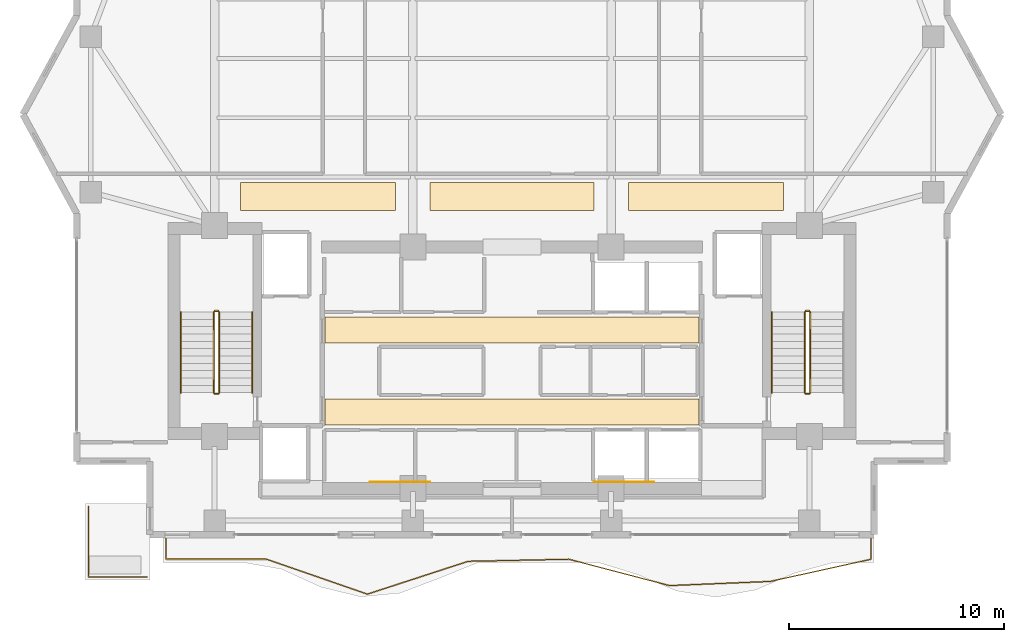
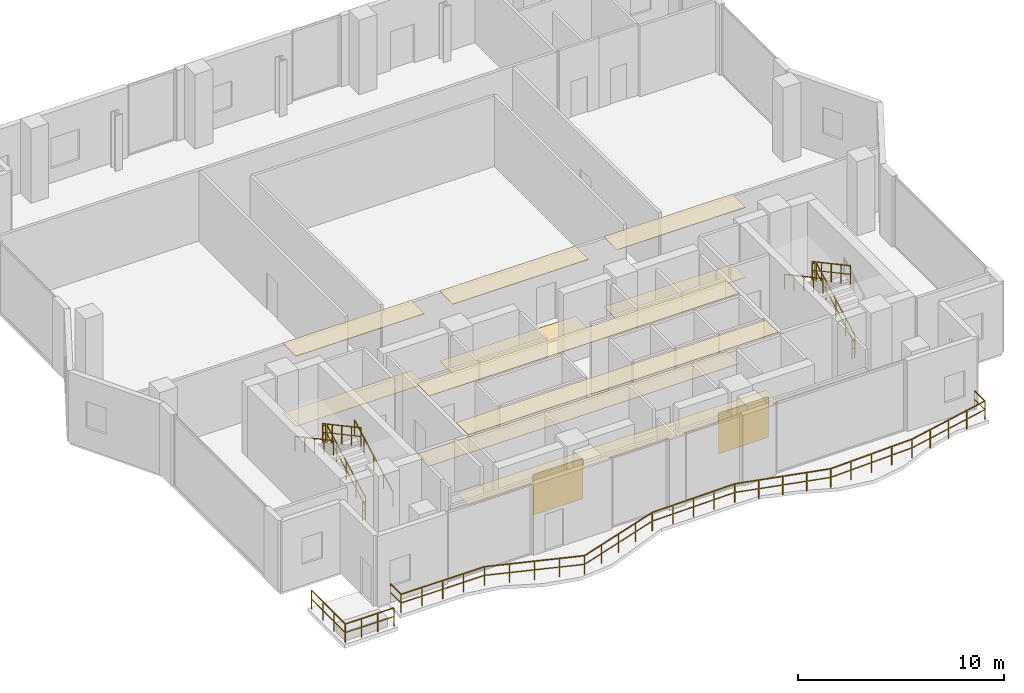
# One storey, part 22 of 24: 13 railings, 12 coverings.
"""IFC4 building model written with IfcOpenShell, lengths in metres."""

from ifc_helpers import new_model, si_unit, direction, frame, origin, origin_2d, place, context, subcontext, project, spatial, polyline, rectangle, outline, extrude, material, layer, layer_set, type_object, element, save


model = new_model("IFC4")

# Units and contexts
model_context = context("Model", 3, precision=1e-05, world=origin(), true_north=direction((0.0, 1.0)))
body_context = subcontext(model_context, "Body", "Model", "MODEL_VIEW")
ifc_project = project(units=[si_unit("LENGTHUNIT", "METRE"), si_unit("AREAUNIT", "SQUARE_METRE"), si_unit("VOLUMEUNIT", "CUBIC_METRE"), si_unit("PLANEANGLEUNIT", "RADIAN"), si_unit("MASSUNIT", "GRAM", prefix="KILO")], contexts=[model_context])

# Site, building, storey
site_placement = place(None, origin())
site = spatial("IfcSite", under=ifc_project, at=site_placement, CompositionType="ELEMENT")
building_placement = place(site_placement, origin())
building = spatial("IfcBuilding", under=site, at=building_placement, Name="Zuhayl Quay Hotel", CompositionType="ELEMENT")
storey_placement = place(building_placement, frame((0.0, 0.0, 284.050048828125)))
storey = spatial("IfcBuildingStorey", under=building, at=storey_placement, Name="L72", CompositionType="ELEMENT", Elevation=284.050048828125)

# Coverings
ifc_material_1 = material(Name="Acoustic Mineral-Fibre Gypsum Board")
ifc_layer_1 = layer(ifc_material_1, 0.02490234375, Name="Acoustic Mineral-Fibre Gypsum Board")
ifc_layer_set_1 = layer_set([ifc_layer_1], Name="Acoustic Mineral-Fibre Gypsum Board")
covering_type_1 = type_object("IfcCoveringType", Name="CV_CEIL_ACOUSTIC", PredefinedType="CEILING", material=ifc_layer_set_1)
covering_1_placement = place(storey_placement, frame((0.0, 0.0, 4.155029296875)))
element("IfcCovering", 1, at=covering_1_placement, inside=storey, type_object=covering_type_1, Name="L72 Suspended Acoustic Lobby Ceiling S", PredefinedType="CEILING", context=body_context, shape_type="SweptSolid", body=[
    extrude(outline(polyline([(-8.679931640625, 5.10009765625), (8.679931640625, 5.10009765625), (8.679931640625, 6.300048828125), (-8.679931640625, 6.300048828125), (-8.679931640625, 5.10009765625)])), origin(), (0.0, 0.0, 1.0), 0.02490234375),
])
covering_2_placement = place(storey_placement, frame((0.0, 0.0, 4.155029296875)))
element("IfcCovering", 2, at=covering_2_placement, inside=storey, type_object=covering_type_1, Name="L72 Suspended Acoustic Lobby Ceiling N", PredefinedType="CEILING", context=body_context, shape_type="SweptSolid", body=[
    extrude(outline(polyline([(-8.679931640625, 8.89990234375), (8.679931640625, 8.89990234375), (8.679931640625, 10.10009765625), (-8.679931640625, 10.10009765625), (-8.679931640625, 8.89990234375)])), origin(), (0.0, 0.0, 1.0), 0.02490234375),
])
covering_3_placement = place(storey_placement, frame((0.0, 0.0, 4.155029296875)))
element("IfcCovering", 3, at=covering_3_placement, inside=storey, type_object=covering_type_1, Name="L72 Guest Corridor Acoustic Ceiling CW", PredefinedType="CEILING", context=body_context, shape_type="SweptSolid", body=[
    extrude(outline(polyline([(-12.60009765625, 15.050048828125), (-5.39990234375, 15.050048828125), (-5.39990234375, 16.35009765625), (-12.60009765625, 16.35009765625), (-12.60009765625, 15.050048828125)])), origin(), (0.0, 0.0, 1.0), 0.02490234375),
])
covering_4_placement = place(storey_placement, frame((0.0, 0.0, 4.155029296875)))
element("IfcCovering", 4, at=covering_4_placement, inside=storey, type_object=covering_type_1, Name="L72 Guest Corridor Acoustic Ceiling CC", PredefinedType="CEILING", context=body_context, shape_type="SweptSolid", body=[
    extrude(outline(polyline([(-3.800048828125, 15.050048828125), (3.800048828125, 15.050048828125), (3.800048828125, 16.35009765625), (-3.800048828125, 16.35009765625), (-3.800048828125, 15.050048828125)])), origin(), (0.0, 0.0, 1.0), 0.02490234375),
])
covering_5_placement = place(storey_placement, frame((0.0, 0.0, 4.155029296875)))
element("IfcCovering", 5, at=covering_5_placement, inside=storey, type_object=covering_type_1, Name="L72 Guest Corridor Acoustic Ceiling CE", PredefinedType="CEILING", context=body_context, shape_type="SweptSolid", body=[
    extrude(outline(polyline([(5.39990234375, 15.050048828125), (12.60009765625, 15.050048828125), (12.60009765625, 16.35009765625), (5.39990234375, 16.35009765625), (5.39990234375, 15.050048828125)])), origin(), (0.0, 0.0, 1.0), 0.02490234375),
])
ifc_material_2 = material(Name="Polished Limestone Terrazzo", Category="masonry")
ifc_layer_2 = layer(ifc_material_2, 0.02001953125, Name="Polished Limestone Terrazzo", Category="masonry")
ifc_layer_set_2 = layer_set([ifc_layer_2], Name="Polished Limestone Terrazzo")
covering_type_2 = type_object("IfcCoveringType", Name="CV_FLOOR_TERRAZZO", PredefinedType="FLOORING", material=ifc_layer_set_2)
covering_6_placement = place(storey_placement, origin())
element("IfcCovering", 6, at=covering_6_placement, inside=storey, type_object=covering_type_2, Name="L72 Honed Limestone Terrazzo Lobby Flooring S", PredefinedType="FLOORING", context=body_context, shape_type="SweptSolid", body=[
    extrude(outline(polyline([(-8.679931640625, 5.10009765625), (8.679931640625, 5.10009765625), (8.679931640625, 6.300048828125), (-8.679931640625, 6.300048828125), (-8.679931640625, 5.10009765625)])), origin(), (0.0, 0.0, 1.0), 0.02001953125),
])
covering_7_placement = place(storey_placement, origin())
element("IfcCovering", 7, at=covering_7_placement, inside=storey, type_object=covering_type_2, Name="L72 Honed Limestone Terrazzo Lobby Flooring N", PredefinedType="FLOORING", context=body_context, shape_type="SweptSolid", body=[
    extrude(outline(polyline([(-8.679931640625, 8.89990234375), (8.679931640625, 8.89990234375), (8.679931640625, 10.10009765625), (-8.679931640625, 10.10009765625), (-8.679931640625, 8.89990234375)])), origin(), (0.0, 0.0, 1.0), 0.02001953125),
])
covering_8_placement = place(storey_placement, origin())
element("IfcCovering", 8, at=covering_8_placement, inside=storey, type_object=covering_type_2, Name="L72 Guest Corridor Terrazzo Runner CW", PredefinedType="FLOORING", context=body_context, shape_type="SweptSolid", body=[
    extrude(outline(polyline([(-12.60009765625, 15.050048828125), (-5.39990234375, 15.050048828125), (-5.39990234375, 16.35009765625), (-12.60009765625, 16.35009765625), (-12.60009765625, 15.050048828125)])), origin(), (0.0, 0.0, 1.0), 0.02001953125),
])
covering_9_placement = place(storey_placement, origin())
element("IfcCovering", 9, at=covering_9_placement, inside=storey, type_object=covering_type_2, Name="L72 Guest Corridor Terrazzo Runner CC", PredefinedType="FLOORING", context=body_context, shape_type="SweptSolid", body=[
    extrude(outline(polyline([(-3.800048828125, 15.050048828125), (3.800048828125, 15.050048828125), (3.800048828125, 16.35009765625), (-3.800048828125, 16.35009765625), (-3.800048828125, 15.050048828125)])), origin(), (0.0, 0.0, 1.0), 0.02001953125),
])
covering_10_placement = place(storey_placement, origin())
element("IfcCovering", 10, at=covering_10_placement, inside=storey, type_object=covering_type_2, Name="L72 Guest Corridor Terrazzo Runner CE", PredefinedType="FLOORING", context=body_context, shape_type="SweptSolid", body=[
    extrude(outline(polyline([(5.39990234375, 15.050048828125), (12.60009765625, 15.050048828125), (12.60009765625, 16.35009765625), (5.39990234375, 16.35009765625), (5.39990234375, 15.050048828125)])), origin(), (0.0, 0.0, 1.0), 0.02001953125),
])
ifc_material_3 = material(Name="Acoustic Walnut Feature Timber", Category="wood")
ifc_layer_3 = layer(ifc_material_3, 0.02197265625, Name="Acoustic Walnut Feature Timber", Category="wood")
ifc_layer_set_3 = layer_set([ifc_layer_3], Name="Acoustic Walnut Feature Timber")
covering_type_3 = type_object("IfcCoveringType", Name="CV_WALL_CLAD", PredefinedType="CLADDING", material=ifc_layer_set_3)
for number, where, z_axis, x_axis, name in (
    (11, (-5.199951171875, 2.43603515625, 0.300048828125), (0.0, 0.0, 1.0), (1.0, 0.0, 0.0), "L72 Feature Lobby Walnut Wall Cladding W"),
    (12, (5.199951171875, 2.43603515625, 0.300048828125), (0.0, 0.0, 1.0), (1.0, 0.0, 0.0), "L72 Feature Lobby Walnut Wall Cladding E"),
):
    element("IfcCovering", number, at=place(storey_placement, frame(where, z_axis=z_axis, x_axis=x_axis)), inside=storey, type_object=covering_type_3, Name=name, PredefinedType="CLADDING", context=body_context, shape_type="SweptSolid", body=[
        extrude(rectangle(XDim=2.800048828125, YDim=0.02197265625, at=origin_2d()), origin(), (0.0, 0.0, 1.0), 2.39990234375),
    ])

# Railings
ifc_material_4 = material(Name="Anodised Aluminium and Laminated Glass", Category="aluminium")
railing_type_1 = type_object("IfcRailingType", Name="RL_EXT_BAL_1100", PredefinedType="BALUSTRADE", material=ifc_material_4)
railing_1_placement = place(storey_placement, frame((-16.06005859375, -0.1201171875, 0.0)))
element("IfcRailing", 13, at=railing_1_placement, inside=storey, type_object=railing_type_1, Name="L72 Balcony and Terrace Guard GR_L72_BAL_S", PredefinedType="BALUSTRADE", context=body_context, shape_type="SweptSolid", body=[
    extrude(rectangle(XDim=0.048095703125, YDim=0.048095703125, at=origin_2d()), frame((0.0, 0.0, 1.09619140625), z_axis=(0.0, -1.0, 0.0), x_axis=(1.0, 0.0, 0.0)), (0.0, 0.0, 1.0), 1.019775390625),
    extrude(rectangle(XDim=0.0361328125, YDim=0.0361328125, at=origin_2d()), frame((0.0, 0.0, 0.58251953125), z_axis=(0.0, -1.0, 0.0), x_axis=(1.0, 0.0, 0.0)), (0.0, 0.0, 1.0), 1.019775390625),
    extrude(rectangle(XDim=0.048095703125, YDim=0.048095703125, at=origin_2d()), frame((0.0, -1.019775390625, 1.09619140625), z_axis=(1.0, 0.0, 0.0), x_axis=(0.0, 1.0, 0.0)), (0.0, 0.0, 1.0), 4.67431640625),
    extrude(rectangle(XDim=0.0361328125, YDim=0.0361328125, at=origin_2d()), frame((0.0, -1.019775390625, 0.58251953125), z_axis=(1.0, 0.0, 0.0), x_axis=(0.0, 1.0, 0.0)), (0.0, 0.0, 1.0), 4.67431640625),
    extrude(rectangle(XDim=0.048095703125, YDim=0.048095703125, at=origin_2d()), frame((4.67431640625, -1.019775390625, 1.09619140625), z_axis=(0.944932077575, -0.32726651031, 0.0), x_axis=(0.32726651031, 0.944932077575, 0.0)), (0.0, 0.0, 1.0), 4.94677734375),
    extrude(rectangle(XDim=0.0361328125, YDim=0.0361328125, at=origin_2d()), frame((4.67431640625, -1.019775390625, 0.58251953125), z_axis=(0.944932077575, -0.32726651031, 0.0), x_axis=(0.32726651031, 0.944932077575, 0.0)), (0.0, 0.0, 1.0), 4.94677734375),
    extrude(rectangle(XDim=0.048095703125, YDim=0.048095703125, at=origin_2d()), frame((9.3486328125, -2.638671875, 1.09619140625), z_axis=(0.950821441776, 0.309739545198, 0.0), x_axis=(-0.309739545198, 0.950821441776, 0.0)), (0.0, 0.0, 1.0), 4.916015625),
    extrude(rectangle(XDim=0.0361328125, YDim=0.0361328125, at=origin_2d()), frame((9.3486328125, -2.638671875, 0.58251953125), z_axis=(0.950821441776, 0.309739545198, 0.0), x_axis=(-0.309739545198, 0.950821441776, 0.0)), (0.0, 0.0, 1.0), 4.916015625),
    extrude(rectangle(XDim=0.048095703125, YDim=0.048095703125, at=origin_2d()), frame((14.02294921875, -1.115966796875, 1.09619140625), z_axis=(0.999788325556, 0.020574354971, 0.0), x_axis=(-0.020574354971, 0.999788325556, 0.0)), (0.0, 0.0, 1.0), 4.67529296875),
    extrude(rectangle(XDim=0.0361328125, YDim=0.0361328125, at=origin_2d()), frame((14.02294921875, -1.115966796875, 0.58251953125), z_axis=(0.999788325556, 0.020574354971, 0.0), x_axis=(-0.020574354971, 0.999788325556, 0.0)), (0.0, 0.0, 1.0), 4.67529296875),
    extrude(rectangle(XDim=0.048095703125, YDim=0.048095703125, at=origin_2d()), frame((18.697265625, -1.019775390625, 1.09619140625), z_axis=(0.967448554845, -0.253067765091, 0.0), x_axis=(0.253067765091, 0.967448554845, 0.0)), (0.0, 0.0, 1.0), 4.831298828125),
    extrude(rectangle(XDim=0.0361328125, YDim=0.0361328125, at=origin_2d()), frame((18.697265625, -1.019775390625, 0.58251953125), z_axis=(0.967448554845, -0.253067765091, 0.0), x_axis=(0.253067765091, 0.967448554845, 0.0)), (0.0, 0.0, 1.0), 4.831298828125),
    extrude(rectangle(XDim=0.048095703125, YDim=0.048095703125, at=origin_2d()), frame((23.371337890625, -2.242431640625, 1.09619140625), z_axis=(0.999145509321, 0.041330995685, 0.0), x_axis=(-0.041330995685, 0.999145509321, 0.0)), (0.0, 0.0, 1.0), 4.67822265625),
    extrude(rectangle(XDim=0.0361328125, YDim=0.0361328125, at=origin_2d()), frame((23.371337890625, -2.242431640625, 0.58251953125), z_axis=(0.999145509321, 0.041330995685, 0.0), x_axis=(-0.041330995685, 0.999145509321, 0.0)), (0.0, 0.0, 1.0), 4.67822265625),
    extrude(rectangle(XDim=0.048095703125, YDim=0.048095703125, at=origin_2d()), frame((28.045654296875, -2.049072265625, 1.09619140625), z_axis=(0.976602917942, 0.215050553747, 0.0), x_axis=(-0.215050553747, 0.976602917942, 0.0)), (0.0, 0.0, 1.0), 4.786376953125),
    extrude(rectangle(XDim=0.0361328125, YDim=0.0361328125, at=origin_2d()), frame((28.045654296875, -2.049072265625, 0.58251953125), z_axis=(0.976602917942, 0.215050553747, 0.0), x_axis=(-0.215050553747, 0.976602917942, 0.0)), (0.0, 0.0, 1.0), 4.786376953125),
    extrude(rectangle(XDim=0.048095703125, YDim=0.048095703125, at=origin_2d()), frame((32.719970703125, -1.019775390625, 1.09619140625), z_axis=(0.0, 1.0, 0.0), x_axis=(-1.0, 0.0, 0.0)), (0.0, 0.0, 1.0), 1.019775390625),
    extrude(rectangle(XDim=0.0361328125, YDim=0.0361328125, at=origin_2d()), frame((32.719970703125, -1.019775390625, 0.58251953125), z_axis=(0.0, 1.0, 0.0), x_axis=(-1.0, 0.0, 0.0)), (0.0, 0.0, 1.0), 1.019775390625),
    extrude(rectangle(XDim=0.0419921875, YDim=0.0419921875, at=origin_2d()), origin(), (0.0, 0.0, 1.0), 1.072021484375),
    extrude(rectangle(XDim=0.0419921875, YDim=0.0419921875, at=origin_2d()), frame((0.0, -1.019775390625, 0.0)), (0.0, 0.0, 1.0), 1.072021484375),
    extrude(rectangle(XDim=0.0419921875, YDim=0.0419921875, at=origin_2d()), frame((1.16845703125, -1.019775390625, 0.0)), (0.0, 0.0, 1.0), 1.072021484375),
    extrude(rectangle(XDim=0.0419921875, YDim=0.0419921875, at=origin_2d()), frame((2.337158203125, -1.019775390625, 0.0)), (0.0, 0.0, 1.0), 1.072021484375),
    extrude(rectangle(XDim=0.0419921875, YDim=0.0419921875, at=origin_2d()), frame((3.505859375, -1.019775390625, 0.0)), (0.0, 0.0, 1.0), 1.072021484375),
    extrude(rectangle(XDim=0.0419921875, YDim=0.0419921875, at=origin_2d()), frame((4.67431640625, -1.019775390625, 0.0)), (0.0, 0.0, 1.0), 1.072021484375),
    extrude(rectangle(XDim=0.0419921875, YDim=0.0419921875, at=origin_2d()), frame((5.8427734375, -1.424560546875, 0.0)), (0.0, 0.0, 1.0), 1.072021484375),
    extrude(rectangle(XDim=0.0419921875, YDim=0.0419921875, at=origin_2d()), frame((7.011474609375, -1.8291015625, 0.0)), (0.0, 0.0, 1.0), 1.072021484375),
    extrude(rectangle(XDim=0.0419921875, YDim=0.0419921875, at=origin_2d()), frame((8.18017578125, -2.23388671875, 0.0)), (0.0, 0.0, 1.0), 1.072021484375),
    extrude(rectangle(XDim=0.0419921875, YDim=0.0419921875, at=origin_2d()), frame((9.3486328125, -2.638671875, 0.0)), (0.0, 0.0, 1.0), 1.072021484375),
    extrude(rectangle(XDim=0.0419921875, YDim=0.0419921875, at=origin_2d()), frame((10.51708984375, -2.258056640625, 0.0)), (0.0, 0.0, 1.0), 1.072021484375),
    extrude(rectangle(XDim=0.0419921875, YDim=0.0419921875, at=origin_2d()), frame((11.685791015625, -1.87744140625, 0.0)), (0.0, 0.0, 1.0), 1.072021484375),
    extrude(rectangle(XDim=0.0419921875, YDim=0.0419921875, at=origin_2d()), frame((12.8544921875, -1.49658203125, 0.0)), (0.0, 0.0, 1.0), 1.072021484375),
    extrude(rectangle(XDim=0.0419921875, YDim=0.0419921875, at=origin_2d()), frame((14.02294921875, -1.115966796875, 0.0)), (0.0, 0.0, 1.0), 1.072021484375),
    extrude(rectangle(XDim=0.0419921875, YDim=0.0419921875, at=origin_2d()), frame((15.19140625, -1.091796875, 0.0)), (0.0, 0.0, 1.0), 1.072021484375),
    extrude(rectangle(XDim=0.0419921875, YDim=0.0419921875, at=origin_2d()), frame((16.360107421875, -1.06787109375, 0.0)), (0.0, 0.0, 1.0), 1.072021484375),
    extrude(rectangle(XDim=0.0419921875, YDim=0.0419921875, at=origin_2d()), frame((17.52880859375, -1.0439453125, 0.0)), (0.0, 0.0, 1.0), 1.072021484375),
    extrude(rectangle(XDim=0.0419921875, YDim=0.0419921875, at=origin_2d()), frame((18.697265625, -1.019775390625, 0.0)), (0.0, 0.0, 1.0), 1.072021484375),
    extrude(rectangle(XDim=0.0419921875, YDim=0.0419921875, at=origin_2d()), frame((19.86572265625, -1.325439453125, 0.0)), (0.0, 0.0, 1.0), 1.072021484375),
    extrude(rectangle(XDim=0.0419921875, YDim=0.0419921875, at=origin_2d()), frame((21.0341796875, -1.631103515625, 0.0)), (0.0, 0.0, 1.0), 1.072021484375),
    extrude(rectangle(XDim=0.0419921875, YDim=0.0419921875, at=origin_2d()), frame((22.202880859375, -1.936767578125, 0.0)), (0.0, 0.0, 1.0), 1.072021484375),
    extrude(rectangle(XDim=0.0419921875, YDim=0.0419921875, at=origin_2d()), frame((23.371337890625, -2.242431640625, 0.0)), (0.0, 0.0, 1.0), 1.072021484375),
    extrude(rectangle(XDim=0.0419921875, YDim=0.0419921875, at=origin_2d()), frame((24.5400390625, -2.194091796875, 0.0)), (0.0, 0.0, 1.0), 1.072021484375),
    extrude(rectangle(XDim=0.0419921875, YDim=0.0419921875, at=origin_2d()), frame((25.70849609375, -2.145751953125, 0.0)), (0.0, 0.0, 1.0), 1.072021484375),
    extrude(rectangle(XDim=0.0419921875, YDim=0.0419921875, at=origin_2d()), frame((26.876953125, -2.097412109375, 0.0)), (0.0, 0.0, 1.0), 1.072021484375),
    extrude(rectangle(XDim=0.0419921875, YDim=0.0419921875, at=origin_2d()), frame((28.045654296875, -2.049072265625, 0.0)), (0.0, 0.0, 1.0), 1.072021484375),
    extrude(rectangle(XDim=0.0419921875, YDim=0.0419921875, at=origin_2d()), frame((29.21435546875, -1.791748046875, 0.0)), (0.0, 0.0, 1.0), 1.072021484375),
    extrude(rectangle(XDim=0.0419921875, YDim=0.0419921875, at=origin_2d()), frame((30.3828125, -1.534423828125, 0.0)), (0.0, 0.0, 1.0), 1.072021484375),
    extrude(rectangle(XDim=0.0419921875, YDim=0.0419921875, at=origin_2d()), frame((31.55126953125, -1.277099609375, 0.0)), (0.0, 0.0, 1.0), 1.072021484375),
    extrude(rectangle(XDim=0.0419921875, YDim=0.0419921875, at=origin_2d()), frame((32.719970703125, -1.019775390625, 0.0)), (0.0, 0.0, 1.0), 1.072021484375),
    extrude(rectangle(XDim=0.0419921875, YDim=0.0419921875, at=origin_2d()), frame((32.719970703125, 0.0, 0.0)), (0.0, 0.0, 1.0), 1.072021484375),
])
railing_2_placement = place(storey_placement, frame((-19.659912109375, 1.31005859375, 0.0)))
element("IfcRailing", 14, at=railing_2_placement, inside=storey, type_object=railing_type_1, Name="L72 Balcony and Terrace Guard GR_L72_SPIRAL_SW", PredefinedType="BALUSTRADE", context=body_context, shape_type="SweptSolid", body=[
    extrude(rectangle(XDim=0.048095703125, YDim=0.048095703125, at=origin_2d()), frame((0.0, 0.0, 1.09619140625), z_axis=(0.0, -1.0, 0.0), x_axis=(1.0, 0.0, 0.0)), (0.0, 0.0, 1.0), 3.27001953125),
    extrude(rectangle(XDim=0.0361328125, YDim=0.0361328125, at=origin_2d()), frame((0.0, 0.0, 0.58251953125), z_axis=(0.0, -1.0, 0.0), x_axis=(1.0, 0.0, 0.0)), (0.0, 0.0, 1.0), 3.27001953125),
    extrude(rectangle(XDim=0.048095703125, YDim=0.048095703125, at=origin_2d()), frame((0.0, -3.27001953125, 1.09619140625), z_axis=(1.0, 0.0, 0.0), x_axis=(0.0, 1.0, 0.0)), (0.0, 0.0, 1.0), 2.719970703125),
    extrude(rectangle(XDim=0.0361328125, YDim=0.0361328125, at=origin_2d()), frame((0.0, -3.27001953125, 0.58251953125), z_axis=(1.0, 0.0, 0.0), x_axis=(0.0, 1.0, 0.0)), (0.0, 0.0, 1.0), 2.719970703125),
    extrude(rectangle(XDim=0.0419921875, YDim=0.0419921875, at=origin_2d()), origin(), (0.0, 0.0, 1.0), 1.072021484375),
    extrude(rectangle(XDim=0.0419921875, YDim=0.0419921875, at=origin_2d()), frame((0.0, -1.090087890625, 0.0)), (0.0, 0.0, 1.0), 1.072021484375),
    extrude(rectangle(XDim=0.0419921875, YDim=0.0419921875, at=origin_2d()), frame((0.0, -2.179931640625, 0.0)), (0.0, 0.0, 1.0), 1.072021484375),
    extrude(rectangle(XDim=0.0419921875, YDim=0.0419921875, at=origin_2d()), frame((0.0, -3.27001953125, 0.0)), (0.0, 0.0, 1.0), 1.072021484375),
    extrude(rectangle(XDim=0.0419921875, YDim=0.0419921875, at=origin_2d()), frame((0.90673828125, -3.27001953125, 0.0)), (0.0, 0.0, 1.0), 1.072021484375),
    extrude(rectangle(XDim=0.0419921875, YDim=0.0419921875, at=origin_2d()), frame((1.813232421875, -3.27001953125, 0.0)), (0.0, 0.0, 1.0), 1.072021484375),
    extrude(rectangle(XDim=0.0419921875, YDim=0.0419921875, at=origin_2d()), frame((2.719970703125, -3.27001953125, 0.0)), (0.0, 0.0, 1.0), 1.072021484375),
])
ifc_material_5 = material(Name="Steel ASTM A992 Grade 50", Category="steel")
railing_type_2 = type_object("IfcRailingType", Name="RL_GUARD_1100", PredefinedType="GUARDRAIL", material=ifc_material_5)
railing_3_placement = place(storey_placement, frame((-13.590087890625, 6.590087890625, 0.183349609375)))
element("IfcRailing", 15, at=railing_3_placement, inside=storey, type_object=railing_type_2, Name="L72 ST1 stair guard 1", PredefinedType="GUARDRAIL", context=body_context, shape_type="SweptSolid", body=[
    extrude(rectangle(XDim=0.048095703125, YDim=0.048095703125, at=origin_2d()), frame((0.0, 0.0, 1.09619140625), z_axis=(0.0, 0.880199743355, 0.474603425818), x_axis=(-1.0, 0.0, 0.0)), (0.0, 0.0, 1.0), 4.2490234375),
    extrude(rectangle(XDim=0.0361328125, YDim=0.0361328125, at=origin_2d()), frame((0.0, 0.0, 0.58251953125), z_axis=(0.0, 0.880199743355, 0.474603425818), x_axis=(-1.0, 0.0, 0.0)), (0.0, 0.0, 1.0), 4.2490234375),
    extrude(rectangle(XDim=0.0419921875, YDim=0.0419921875, at=origin_2d()), origin(), (0.0, 0.0, 1.0), 1.072021484375),
    extrude(rectangle(XDim=0.0419921875, YDim=0.0419921875, at=origin_2d()), frame((0.0, 0.93505859375, 0.504150390625)), (0.0, 0.0, 1.0), 1.072021484375),
    extrude(rectangle(XDim=0.0419921875, YDim=0.0419921875, at=origin_2d()), frame((0.0, 1.8701171875, 1.00830078125)), (0.0, 0.0, 1.0), 1.072021484375),
    extrude(rectangle(XDim=0.0419921875, YDim=0.0419921875, at=origin_2d()), frame((0.0, 2.804931640625, 1.512451171875)), (0.0, 0.0, 1.0), 1.072021484375),
    extrude(rectangle(XDim=0.0419921875, YDim=0.0419921875, at=origin_2d()), frame((0.0, 3.739990234375, 2.0166015625)), (0.0, 0.0, 1.0), 1.072021484375),
])
railing_4_placement = place(storey_placement, frame((-13.639892578125, 10.3798828125, 2.199951171875)))
element("IfcRailing", 16, at=railing_4_placement, inside=storey, type_object=railing_type_2, Name="L72 ST1 stair guard 2", PredefinedType="GUARDRAIL", context=body_context, shape_type="SweptSolid", body=[
    extrude(rectangle(XDim=0.048095703125, YDim=0.048095703125, at=origin_2d()), frame((0.0, 0.0, 1.09619140625), z_axis=(-1.0, 0.0, 0.0), x_axis=(0.0, -1.0, 0.0)), (0.0, 0.0, 1.0), 0.150146484375),
    extrude(rectangle(XDim=0.0361328125, YDim=0.0361328125, at=origin_2d()), frame((0.0, 0.0, 0.58251953125), z_axis=(-1.0, 0.0, 0.0), x_axis=(0.0, -1.0, 0.0)), (0.0, 0.0, 1.0), 0.150146484375),
    extrude(rectangle(XDim=0.0419921875, YDim=0.0419921875, at=origin_2d()), origin(), (0.0, 0.0, 1.0), 1.072021484375),
    extrude(rectangle(XDim=0.0419921875, YDim=0.0419921875, at=origin_2d()), frame((-0.150146484375, 0.0, 0.0)), (0.0, 0.0, 1.0), 1.072021484375),
])
railing_5_placement = place(storey_placement, frame((-13.840087890625, 10.330078125, 2.38330078125)))
element("IfcRailing", 17, at=railing_5_placement, inside=storey, type_object=railing_type_2, Name="L72 ST1 stair guard 3", PredefinedType="GUARDRAIL", context=body_context, shape_type="SweptSolid", body=[
    extrude(rectangle(XDim=0.048095703125, YDim=0.048095703125, at=origin_2d()), frame((0.0, 0.0, 1.09619140625), z_axis=(0.0, -0.880199743355, 0.474603425818), x_axis=(1.0, 0.0, 0.0)), (0.0, 0.0, 1.0), 4.2490234375),
    extrude(rectangle(XDim=0.0361328125, YDim=0.0361328125, at=origin_2d()), frame((0.0, 0.0, 0.58251953125), z_axis=(0.0, -0.880199743355, 0.474603425818), x_axis=(1.0, 0.0, 0.0)), (0.0, 0.0, 1.0), 4.2490234375),
    extrude(rectangle(XDim=0.0419921875, YDim=0.0419921875, at=origin_2d()), origin(), (0.0, 0.0, 1.0), 1.072021484375),
    extrude(rectangle(XDim=0.0419921875, YDim=0.0419921875, at=origin_2d()), frame((0.0, -0.93505859375, 0.504150390625)), (0.0, 0.0, 1.0), 1.072021484375),
    extrude(rectangle(XDim=0.0419921875, YDim=0.0419921875, at=origin_2d()), frame((0.0, -1.8701171875, 1.00830078125)), (0.0, 0.0, 1.0), 1.072021484375),
    extrude(rectangle(XDim=0.0419921875, YDim=0.0419921875, at=origin_2d()), frame((0.0, -2.804931640625, 1.512451171875)), (0.0, 0.0, 1.0), 1.072021484375),
    extrude(rectangle(XDim=0.0419921875, YDim=0.0419921875, at=origin_2d()), frame((0.0, -3.739990234375, 2.0166015625)), (0.0, 0.0, 1.0), 1.072021484375),
])
railing_6_placement = place(storey_placement, frame((-13.639892578125, 6.5400390625, 0.0)))
element("IfcRailing", 18, at=railing_6_placement, inside=storey, type_object=railing_type_2, Name="L72 ST1 stair guard 4", PredefinedType="GUARDRAIL", context=body_context, shape_type="SweptSolid", body=[
    extrude(rectangle(XDim=0.048095703125, YDim=0.048095703125, at=origin_2d()), frame((0.0, 0.0, 1.09619140625), z_axis=(-1.0, 0.0, 0.0), x_axis=(0.0, -1.0, 0.0)), (0.0, 0.0, 1.0), 0.150146484375),
    extrude(rectangle(XDim=0.0361328125, YDim=0.0361328125, at=origin_2d()), frame((0.0, 0.0, 0.58251953125), z_axis=(-1.0, 0.0, 0.0), x_axis=(0.0, -1.0, 0.0)), (0.0, 0.0, 1.0), 0.150146484375),
    extrude(rectangle(XDim=0.0419921875, YDim=0.0419921875, at=origin_2d()), origin(), (0.0, 0.0, 1.0), 1.072021484375),
    extrude(rectangle(XDim=0.0419921875, YDim=0.0419921875, at=origin_2d()), frame((-0.150146484375, 0.0, 0.0)), (0.0, 0.0, 1.0), 1.072021484375),
])
railing_7_placement = place(storey_placement, frame((13.840087890625, 6.590087890625, 0.183349609375)))
element("IfcRailing", 19, at=railing_7_placement, inside=storey, type_object=railing_type_2, Name="L72 ST2 stair guard 1", PredefinedType="GUARDRAIL", context=body_context, shape_type="SweptSolid", body=[
    extrude(rectangle(XDim=0.048095703125, YDim=0.048095703125, at=origin_2d()), frame((0.0, 0.0, 1.09619140625), z_axis=(0.0, 0.880199743355, 0.474603425818), x_axis=(-1.0, 0.0, 0.0)), (0.0, 0.0, 1.0), 4.2490234375),
    extrude(rectangle(XDim=0.0361328125, YDim=0.0361328125, at=origin_2d()), frame((0.0, 0.0, 0.58251953125), z_axis=(0.0, 0.880199743355, 0.474603425818), x_axis=(-1.0, 0.0, 0.0)), (0.0, 0.0, 1.0), 4.2490234375),
    extrude(rectangle(XDim=0.0419921875, YDim=0.0419921875, at=origin_2d()), origin(), (0.0, 0.0, 1.0), 1.072021484375),
    extrude(rectangle(XDim=0.0419921875, YDim=0.0419921875, at=origin_2d()), frame((0.0, 0.93505859375, 0.504150390625)), (0.0, 0.0, 1.0), 1.072021484375),
    extrude(rectangle(XDim=0.0419921875, YDim=0.0419921875, at=origin_2d()), frame((0.0, 1.8701171875, 1.00830078125)), (0.0, 0.0, 1.0), 1.072021484375),
    extrude(rectangle(XDim=0.0419921875, YDim=0.0419921875, at=origin_2d()), frame((0.0, 2.804931640625, 1.512451171875)), (0.0, 0.0, 1.0), 1.072021484375),
    extrude(rectangle(XDim=0.0419921875, YDim=0.0419921875, at=origin_2d()), frame((0.0, 3.739990234375, 2.0166015625)), (0.0, 0.0, 1.0), 1.072021484375),
])
railing_8_placement = place(storey_placement, frame((13.7900390625, 10.3798828125, 2.199951171875)))
element("IfcRailing", 20, at=railing_8_placement, inside=storey, type_object=railing_type_2, Name="L72 ST2 stair guard 2", PredefinedType="GUARDRAIL", context=body_context, shape_type="SweptSolid", body=[
    extrude(rectangle(XDim=0.048095703125, YDim=0.048095703125, at=origin_2d()), frame((0.0, 0.0, 1.09619140625), z_axis=(-1.0, 0.0, 0.0), x_axis=(0.0, -1.0, 0.0)), (0.0, 0.0, 1.0), 0.150146484375),
    extrude(rectangle(XDim=0.0361328125, YDim=0.0361328125, at=origin_2d()), frame((0.0, 0.0, 0.58251953125), z_axis=(-1.0, 0.0, 0.0), x_axis=(0.0, -1.0, 0.0)), (0.0, 0.0, 1.0), 0.150146484375),
    extrude(rectangle(XDim=0.0419921875, YDim=0.0419921875, at=origin_2d()), origin(), (0.0, 0.0, 1.0), 1.072021484375),
    extrude(rectangle(XDim=0.0419921875, YDim=0.0419921875, at=origin_2d()), frame((-0.150146484375, 0.0, 0.0)), (0.0, 0.0, 1.0), 1.072021484375),
])
railing_9_placement = place(storey_placement, frame((13.590087890625, 10.330078125, 2.38330078125)))
element("IfcRailing", 21, at=railing_9_placement, inside=storey, type_object=railing_type_2, Name="L72 ST2 stair guard 3", PredefinedType="GUARDRAIL", context=body_context, shape_type="SweptSolid", body=[
    extrude(rectangle(XDim=0.048095703125, YDim=0.048095703125, at=origin_2d()), frame((0.0, 0.0, 1.09619140625), z_axis=(0.0, -0.880199743355, 0.474603425818), x_axis=(1.0, 0.0, 0.0)), (0.0, 0.0, 1.0), 4.2490234375),
    extrude(rectangle(XDim=0.0361328125, YDim=0.0361328125, at=origin_2d()), frame((0.0, 0.0, 0.58251953125), z_axis=(0.0, -0.880199743355, 0.474603425818), x_axis=(1.0, 0.0, 0.0)), (0.0, 0.0, 1.0), 4.2490234375),
    extrude(rectangle(XDim=0.0419921875, YDim=0.0419921875, at=origin_2d()), origin(), (0.0, 0.0, 1.0), 1.072021484375),
    extrude(rectangle(XDim=0.0419921875, YDim=0.0419921875, at=origin_2d()), frame((0.0, -0.93505859375, 0.504150390625)), (0.0, 0.0, 1.0), 1.072021484375),
    extrude(rectangle(XDim=0.0419921875, YDim=0.0419921875, at=origin_2d()), frame((0.0, -1.8701171875, 1.00830078125)), (0.0, 0.0, 1.0), 1.072021484375),
    extrude(rectangle(XDim=0.0419921875, YDim=0.0419921875, at=origin_2d()), frame((0.0, -2.804931640625, 1.512451171875)), (0.0, 0.0, 1.0), 1.072021484375),
    extrude(rectangle(XDim=0.0419921875, YDim=0.0419921875, at=origin_2d()), frame((0.0, -3.739990234375, 2.0166015625)), (0.0, 0.0, 1.0), 1.072021484375),
])
railing_10_placement = place(storey_placement, frame((13.7900390625, 6.5400390625, 0.0)))
element("IfcRailing", 22, at=railing_10_placement, inside=storey, type_object=railing_type_2, Name="L72 ST2 stair guard 4", PredefinedType="GUARDRAIL", context=body_context, shape_type="SweptSolid", body=[
    extrude(rectangle(XDim=0.048095703125, YDim=0.048095703125, at=origin_2d()), frame((0.0, 0.0, 1.09619140625), z_axis=(-1.0, 0.0, 0.0), x_axis=(0.0, -1.0, 0.0)), (0.0, 0.0, 1.0), 0.150146484375),
    extrude(rectangle(XDim=0.0361328125, YDim=0.0361328125, at=origin_2d()), frame((0.0, 0.0, 0.58251953125), z_axis=(-1.0, 0.0, 0.0), x_axis=(0.0, -1.0, 0.0)), (0.0, 0.0, 1.0), 0.150146484375),
    extrude(rectangle(XDim=0.0419921875, YDim=0.0419921875, at=origin_2d()), origin(), (0.0, 0.0, 1.0), 1.072021484375),
    extrude(rectangle(XDim=0.0419921875, YDim=0.0419921875, at=origin_2d()), frame((-0.150146484375, 0.0, 0.0)), (0.0, 0.0, 1.0), 1.072021484375),
])
railing_type_3 = type_object("IfcRailingType", Name="RL_HANDRAIL_920", PredefinedType="HANDRAIL", material=ifc_material_5)
railing_11_placement = place(storey_placement, frame((-12.050048828125, 6.590087890625, 0.183349609375)))
element("IfcRailing", 23, at=railing_11_placement, inside=storey, type_object=railing_type_3, Name="L72 ST1 stair handrail 1", PredefinedType="HANDRAIL", context=body_context, shape_type="SweptSolid", body=[
    extrude(rectangle(XDim=0.048095703125, YDim=0.048095703125, at=origin_2d()), frame((0.0, 0.0, 0.8759765625), z_axis=(0.0, 0.880199743355, 0.474603425818), x_axis=(-1.0, 0.0, 0.0)), (0.0, 0.0, 1.0), 4.2490234375),
    extrude(rectangle(XDim=0.0419921875, YDim=0.0419921875, at=origin_2d()), origin(), (0.0, 0.0, 1.0), 0.851806640625),
    extrude(rectangle(XDim=0.0419921875, YDim=0.0419921875, at=origin_2d()), frame((0.0, 0.93505859375, 0.504150390625)), (0.0, 0.0, 1.0), 0.851806640625),
    extrude(rectangle(XDim=0.0419921875, YDim=0.0419921875, at=origin_2d()), frame((0.0, 1.8701171875, 1.00830078125)), (0.0, 0.0, 1.0), 0.851806640625),
    extrude(rectangle(XDim=0.0419921875, YDim=0.0419921875, at=origin_2d()), frame((0.0, 2.804931640625, 1.512451171875)), (0.0, 0.0, 1.0), 0.851806640625),
    extrude(rectangle(XDim=0.0419921875, YDim=0.0419921875, at=origin_2d()), frame((0.0, 3.739990234375, 2.0166015625)), (0.0, 0.0, 1.0), 0.851806640625),
])
for number, where, name in (
    (24, (-15.3798828125, 10.330078125, 2.38330078125), "L72 ST1 stair handrail 2"),
    (25, (12.050048828125, 10.330078125, 2.38330078125), "L72 ST2 stair handrail 2"),
):
    element("IfcRailing", number, at=place(storey_placement, frame(where)), inside=storey, type_object=railing_type_3, Name=name, PredefinedType="HANDRAIL", context=body_context, shape_type="SweptSolid", body=[
        extrude(rectangle(XDim=0.048095703125, YDim=0.048095703125, at=origin_2d()), frame((0.0, 0.0, 0.8759765625), z_axis=(0.0, -0.880199743355, 0.474603425818), x_axis=(1.0, 0.0, 0.0)), (0.0, 0.0, 1.0), 4.2490234375),
        extrude(rectangle(XDim=0.0419921875, YDim=0.0419921875, at=origin_2d()), origin(), (0.0, 0.0, 1.0), 0.851806640625),
        extrude(rectangle(XDim=0.0419921875, YDim=0.0419921875, at=origin_2d()), frame((0.0, -0.93505859375, 0.504150390625)), (0.0, 0.0, 1.0), 0.851806640625),
        extrude(rectangle(XDim=0.0419921875, YDim=0.0419921875, at=origin_2d()), frame((0.0, -1.8701171875, 1.00830078125)), (0.0, 0.0, 1.0), 0.851806640625),
        extrude(rectangle(XDim=0.0419921875, YDim=0.0419921875, at=origin_2d()), frame((0.0, -2.804931640625, 1.512451171875)), (0.0, 0.0, 1.0), 0.851806640625),
        extrude(rectangle(XDim=0.0419921875, YDim=0.0419921875, at=origin_2d()), frame((0.0, -3.739990234375, 2.0166015625)), (0.0, 0.0, 1.0), 0.851806640625),
    ])

save(model, "model.ifc")
